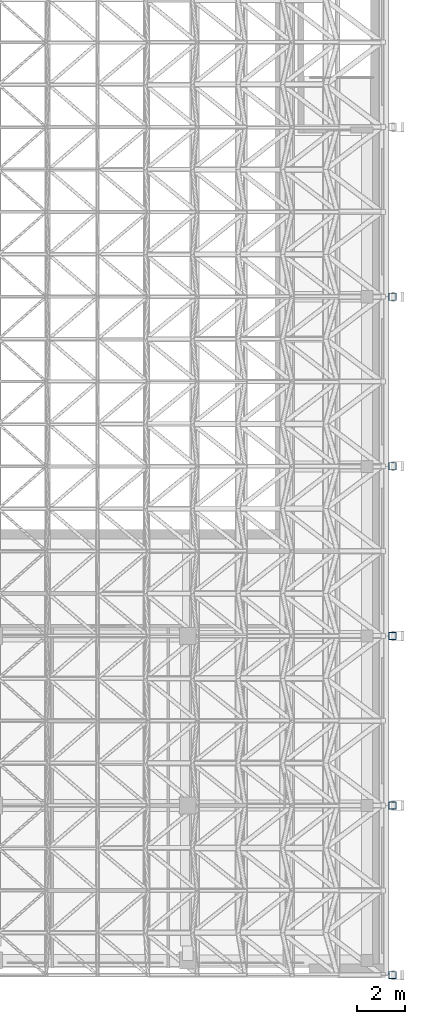
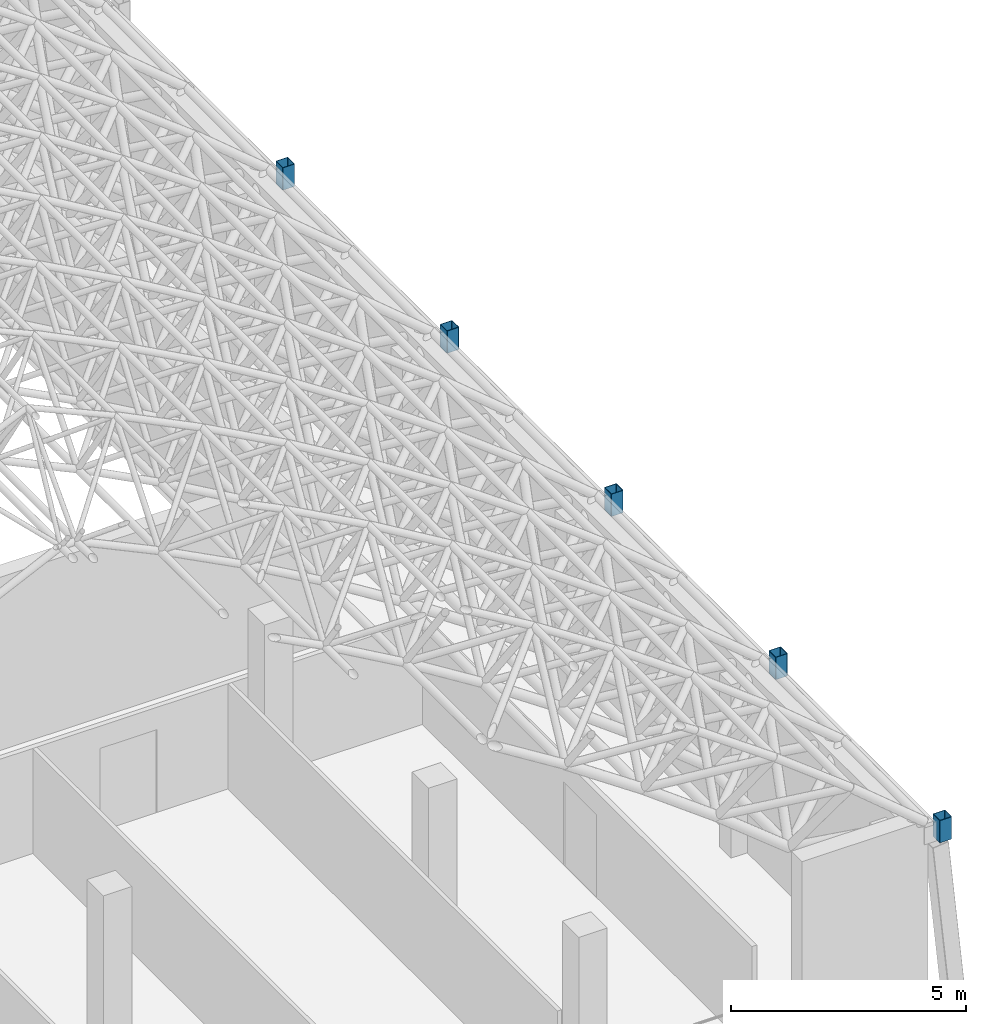
# One storey, part 6 of 141: 5 columns.
"""IFC4 building model written with IfcOpenShell, lengths in metres."""

from ifc_helpers import new_model, si_unit, direction, frame, origin, origin_2d, place, context, subcontext, project, spatial, hollow_rectangle, extrude, material, material_profile, profile_set, type_object, element, save


model = new_model("IFC4")

# Units and contexts
model_context = context("Model", 3, precision=1e-05, world=origin(), true_north=direction((0.0, 1.0)))
body_context = subcontext(model_context, "Body", "Model", "MODEL_VIEW")
ifc_project = project(units=[si_unit("LENGTHUNIT", "METRE"), si_unit("AREAUNIT", "SQUARE_METRE"), si_unit("VOLUMEUNIT", "CUBIC_METRE"), si_unit("PLANEANGLEUNIT", "RADIAN"), si_unit("MASSUNIT", "GRAM", prefix="KILO")], contexts=[model_context])

# Site, building, storey
site_placement = place(None, origin())
site = spatial("IfcSite", under=ifc_project, at=site_placement, CompositionType="ELEMENT")
building_placement = place(site_placement, origin())
building = spatial("IfcBuilding", under=site, at=building_placement, Name="Lantern Court Media Centre", CompositionType="ELEMENT")
storey_placement = place(building_placement, frame((0.0, 0.0, 9.60009765625)))
storey = spatial("IfcBuildingStorey", under=building, at=storey_placement, Name="L02", CompositionType="ELEMENT", Elevation=9.60009765625)

# Columns
ifc_material = material(Name="Steel S355J2 (EN 10025-2)", Category="steel")
ifc_material_profile = material_profile(ifc_material, hollow_rectangle(XDim=0.300048828125, YDim=0.300048828125, WallThickness=0.012451171875, InnerFilletRadius=0.012451171875, OuterFilletRadius=0.018798828125, at=origin_2d()), Name="Studio Hall buttress pinnacle SHS 300x12.5")
ifc_profile_set = profile_set([ifc_material_profile], Name="Steel S355J2 (EN 10025-2)")
column_type = type_object("IfcColumnType", Name="Studio Hall buttress pinnacle SHS 300x12.5", PredefinedType="COLUMN", material=ifc_profile_set)
for number, where, z_axis, x_axis, name in (
    (1, (104.4501953125, -2.0, 4.220458984375), (0.0, 0.0, 1.0), (1.0, 0.0, 0.0), "Studio Hall pinnacle east 1"),
    (2, (104.4501953125, 5.0, 4.220458984375), (0.0, 0.0, 1.0), (1.0, 0.0, 0.0), "Studio Hall pinnacle east 2"),
    (3, (104.4501953125, 12.0, 4.220458984375), (0.0, 0.0, 1.0), (1.0, 0.0, 0.0), "Studio Hall pinnacle east 3"),
    (4, (104.4501953125, 19.0, 4.220458984375), (0.0, 0.0, 1.0), (1.0, 0.0, 0.0), "Studio Hall pinnacle east 4"),
    (5, (104.4501953125, 26.0, 4.220458984375), (0.0, 0.0, 1.0), (1.0, 0.0, 0.0), "Studio Hall pinnacle east 5"),
):
    element("IfcColumn", number, at=place(storey_placement, frame(where, z_axis=z_axis, x_axis=x_axis)), inside=storey, type_object=column_type, Name=name, PredefinedType="COLUMN", context=body_context, shape_type="SweptSolid", body=[
        extrude(hollow_rectangle(XDim=0.300048828125, YDim=0.300048828125, WallThickness=0.012451171875, InnerFilletRadius=0.012451171875, OuterFilletRadius=0.018798828125, at=origin_2d()), origin(), (0.0, 0.0, 1.0), 0.579345703125),
    ])

save(model, "model.ifc")
